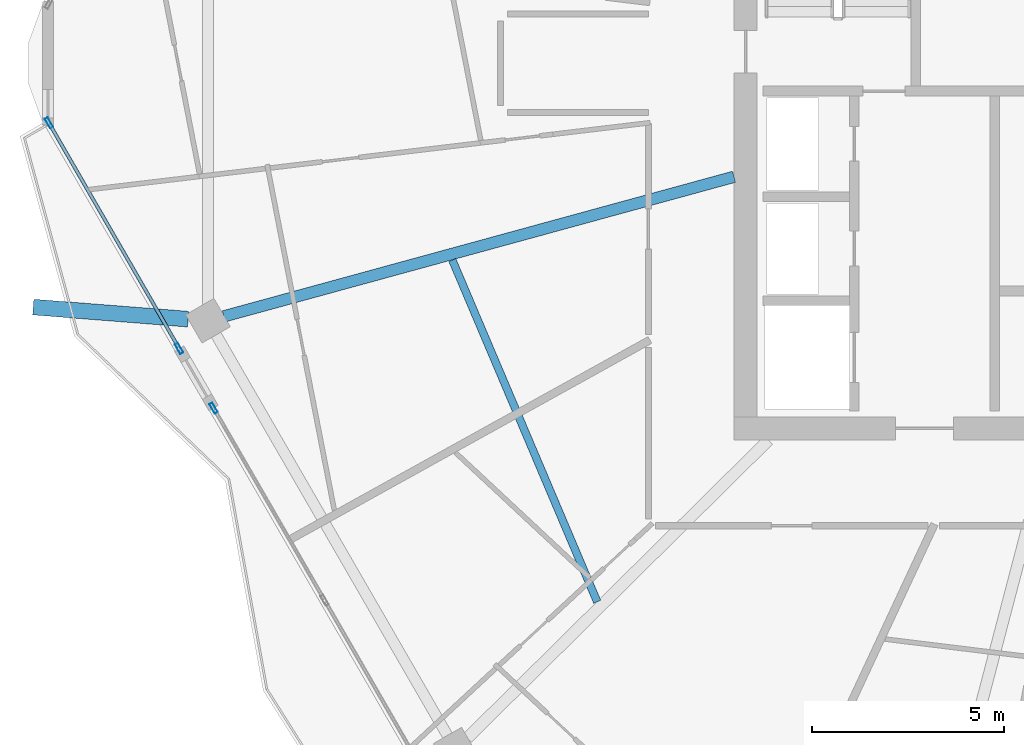
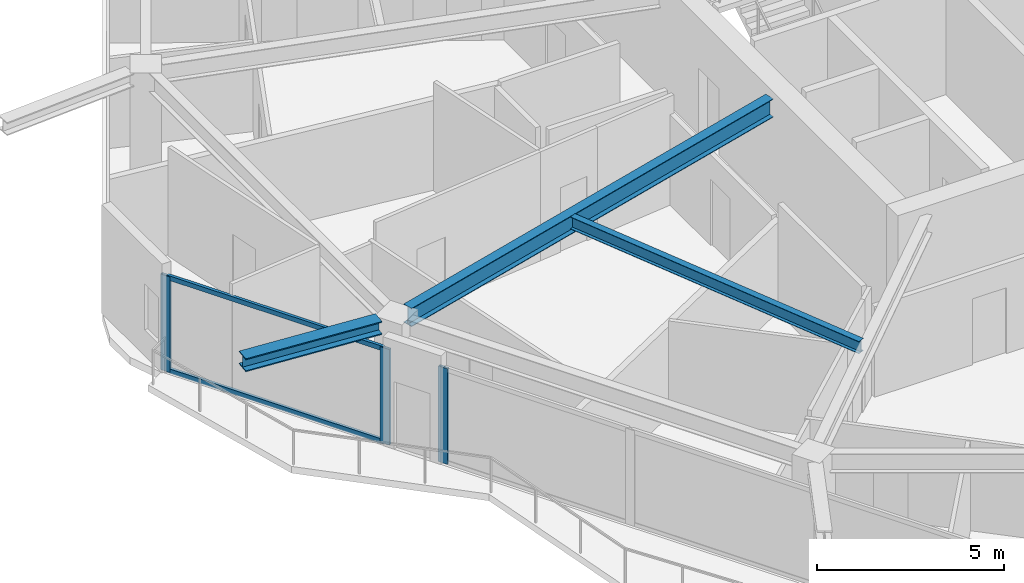
# One storey, part 5 of 26: 5 members, 3 beams, 2 elements without a shape of their own.
"""IFC4 building model written with IfcOpenShell, lengths in metres."""

from ifc_helpers import new_model, si_unit, direction, frame, origin, origin_2d, place, context, subcontext, project, spatial, hollow_rectangle, i_section, extrude, material, material_profile, profile_set, type_object, element, aggregate, save


model = new_model("IFC4")

# Units and contexts
model_context = context("Model", 3, precision=1e-05, world=origin(), true_north=direction((0.0, 1.0)))
body_context = subcontext(model_context, "Body", "Model", "MODEL_VIEW")
ifc_project = project(units=[si_unit("LENGTHUNIT", "METRE"), si_unit("AREAUNIT", "SQUARE_METRE"), si_unit("VOLUMEUNIT", "CUBIC_METRE"), si_unit("PLANEANGLEUNIT", "RADIAN"), si_unit("MASSUNIT", "GRAM", prefix="KILO")], contexts=[model_context])

# Site, building, storey
site_placement = place(None, origin())
site = spatial("IfcSite", under=ifc_project, at=site_placement, CompositionType="ELEMENT")
building_placement = place(site_placement, origin())
building = spatial("IfcBuilding", under=site, at=building_placement, Name="Zuhravey Tower", CompositionType="ELEMENT")
storey_placement = place(building_placement, frame((0.0, 0.0, 273.0)))
storey = spatial("IfcBuildingStorey", under=building, at=storey_placement, Name="L69", CompositionType="ELEMENT", Elevation=273.0)

# Curtain wall, member
ifc_material_1 = material(Name="Thermally broken anodised aluminium", Category="aluminium")
curtain_wall_type = type_object("IfcCurtainWallType", Name="Zone 3-4 High-Rise Curtain Wall CW4", PredefinedType="NOTDEFINED", material=ifc_material_1)
curtain_wall_1_placement = place(storey_placement, origin())
curtain_wall_1 = element("IfcCurtainWall", 1, at=curtain_wall_1_placement, inside=storey, type_object=curtain_wall_type, Name="L69 CW4 CW-L69-F4-1", PredefinedType="NOTDEFINED")
ifc_material_2 = material(Name="Anodised aluminium", Category="aluminium")
ifc_material_profile_1 = material_profile(ifc_material_2, hollow_rectangle(XDim=0.090087890625, YDim=0.284912109375, WallThickness=0.0048828125, at=origin_2d()), Name="ALU-RHS-90x285x5")
ifc_profile_set_1 = profile_set([ifc_material_profile_1], Name="Anodised aluminium")
member_type_1 = type_object("IfcMemberType", Name="Curtain-Wall Mullion 90x180", PredefinedType="MULLION", material=ifc_profile_set_1)
member_1_placement = place(storey_placement, frame((11.66162109375, 23.028076171875, 0.0), z_axis=(0.0, 0.0, 1.0), x_axis=(-0.866023893294, -0.500002616237, 0.0)))
member_1 = element("IfcMember", 2, at=member_1_placement, type_object=member_type_1, Name="CW4 mullion 4", PredefinedType="MULLION", context=body_context, shape_type="SweptSolid", body=[
    extrude(hollow_rectangle(XDim=0.090087890625, YDim=0.284912109375, WallThickness=0.0048828125, at=origin_2d()), origin(), (0.0, 0.0, 1.0), 3.1220703125),
])
aggregate(curtain_wall_1, [member_1])

# Curtain wall, members
curtain_wall_2_placement = place(storey_placement, origin())
curtain_wall_2 = element("IfcCurtainWall", 3, at=curtain_wall_2_placement, inside=storey, type_object=curtain_wall_type, Name="L69 CW4 CW-L69-F4-2", PredefinedType="NOTDEFINED")
member_2_placement = place(storey_placement, frame((10.7666015625, 24.578369140625, 0.0), z_axis=(0.0, 0.0, 1.0), x_axis=(-0.866025080445, -0.500000560041, 0.0)))
member_2 = element("IfcMember", 4, at=member_2_placement, type_object=member_type_1, Name="CW4 mullion 1", PredefinedType="MULLION", context=body_context, shape_type="SweptSolid", body=[
    extrude(hollow_rectangle(XDim=0.090087890625, YDim=0.284912109375, WallThickness=0.0048828125, at=origin_2d()), origin(), (0.0, 0.0, 1.0), 3.1220703125),
])
member_3_placement = place(storey_placement, frame((7.37744140625, 30.448486328125, 0.0), z_axis=(0.0, 0.0, 1.0), x_axis=(-0.866025080445, -0.500000560041, 0.0)))
member_3 = element("IfcMember", 5, at=member_3_placement, type_object=member_type_1, Name="CW4 mullion 2", PredefinedType="MULLION", context=body_context, shape_type="SweptSolid", body=[
    extrude(hollow_rectangle(XDim=0.090087890625, YDim=0.284912109375, WallThickness=0.0048828125, at=origin_2d()), origin(), (0.0, 0.0, 1.0), 3.1220703125),
])
ifc_material_profile_2 = material_profile(ifc_material_2, hollow_rectangle(XDim=0.090087890625, YDim=0.14990234375, WallThickness=0.0048828125, at=origin_2d()), Name="ALU-RHS-90x150x5")
ifc_profile_set_2 = profile_set([ifc_material_profile_2], Name="Anodised aluminium")
member_type_2 = type_object("IfcMemberType", Name="Curtain-Wall Transom 90x150", PredefinedType="USERDEFINED", material=ifc_profile_set_2)
member_4_placement = place(storey_placement, frame((10.744140625, 24.6171875, 0.044921875), z_axis=(-0.499994182963, 0.866028762226, 0.0), x_axis=(-0.866028762226, -0.499994182963, 0.0)))
member_4 = element("IfcMember", 6, at=member_4_placement, type_object=member_type_2, Name="CW4 transom 1.1", ObjectType="TRANSOM", PredefinedType="USERDEFINED", context=body_context, shape_type="SweptSolid", body=[
    extrude(hollow_rectangle(XDim=0.090087890625, YDim=0.14990234375, WallThickness=0.0048828125, at=origin_2d()), origin(), (0.0, 0.0, 1.0), 6.6884765625),
])
member_5_placement = place(storey_placement, frame((10.744140625, 24.6171875, 3.076904296875), z_axis=(-0.499994182963, 0.866028762226, 0.0), x_axis=(-0.866028762226, -0.499994182963, 0.0)))
member_5 = element("IfcMember", 7, at=member_5_placement, type_object=member_type_2, Name="CW4 transom 1.2", ObjectType="TRANSOM", PredefinedType="USERDEFINED", context=body_context, shape_type="SweptSolid", body=[
    extrude(hollow_rectangle(XDim=0.090087890625, YDim=0.14990234375, WallThickness=0.0048828125, at=origin_2d()), origin(), (0.0, 0.0, 1.0), 6.6884765625),
])
aggregate(curtain_wall_2, [member_2, member_3, member_4, member_5])

# Beams
ifc_material_3 = material(Name="Steel SM460", Category="steel")
ifc_material_profile_3 = material_profile(ifc_material_3, i_section(OverallWidth=0.406982421875, OverallDepth=0.427978515625, WebThickness=0.02001953125, FlangeThickness=0.034912109375, at=origin_2d()), Name="H-428x407x20x35")
ifc_profile_set_3 = profile_set([ifc_material_profile_3], Name="Steel SM460")
beam_type_1 = type_object("IfcBeamType", Name="Exoskeleton Node Tie Beam H428x407", PredefinedType="BEAM", material=ifc_profile_set_3)
beam_1_placement = place(storey_placement, frame((10.99755859375, 25.341552734375, 3.3359375), z_axis=(-0.996959133272, 0.077926161105, 0.0), x_axis=(-0.077926161105, -0.996959133272, 0.0)))
element("IfcBeam", 8, at=beam_1_placement, inside=storey, type_object=beam_type_1, Name="L69 Exoskeleton Node Tie NT1-07", PredefinedType="BEAM", context=body_context, shape_type="SweptSolid", body=[
    extrude(i_section(OverallWidth=0.406982421875, OverallDepth=0.427978515625, WebThickness=0.02001953125, FlangeThickness=0.034912109375, at=origin_2d()), origin(), (0.0, 0.0, 1.0), 4.038330078125),
])
ifc_material_4 = material(Name="Steel SM355", Category="steel")
ifc_material_profile_4 = material_profile(ifc_material_4, i_section(OverallWidth=0.300048828125, OverallDepth=0.60009765625, WebThickness=0.011962890625, FlangeThickness=0.02001953125, at=origin_2d()), Name="H-600x300x12x20")
ifc_profile_set_4 = profile_set([ifc_material_profile_4], Name="Steel SM355")
beam_type_2 = type_object("IfcBeamType", Name="Radial Primary Girder H600x300", PredefinedType="BEAM", material=ifc_profile_set_4)
beam_2_placement = place(storey_placement, frame((25.197021484375, 29.04443359375, 3.25), z_axis=(-0.964549305009, -0.263902705947, 0.0), x_axis=(0.263902705947, -0.964549305009, 0.0)))
element("IfcBeam", 9, at=beam_2_placement, inside=storey, type_object=beam_type_2, Name="L69 RG3 BM-L69-RAD-07", PredefinedType="BEAM", context=body_context, shape_type="SweptSolid", body=[
    extrude(i_section(OverallWidth=0.300048828125, OverallDepth=0.60009765625, WebThickness=0.011962890625, FlangeThickness=0.02001953125, at=origin_2d()), origin(), (0.0, 0.0, 1.0), 13.756591796875),
])
ifc_material_profile_5 = material_profile(ifc_material_4, i_section(OverallWidth=0.199951171875, OverallDepth=0.39990234375, WebThickness=0.008056640625, FlangeThickness=0.012939453125, at=origin_2d()), Name="H-400x200x8x13")
ifc_profile_set_5 = profile_set([ifc_material_profile_5], Name="Steel SM355")
beam_type_3 = type_object("IfcBeamType", Name="Secondary Floor Joist H400x200", PredefinedType="JOIST", material=ifc_profile_set_5)
beam_3_placement = place(storey_placement, frame((17.869140625, 26.881103515625, 3.35009765625), z_axis=(0.390413493754, -0.920639616731, 0.0), x_axis=(0.920639616731, 0.390413493754, 0.0)))
element("IfcBeam", 10, at=beam_3_placement, inside=storey, type_object=beam_type_3, Name="L69 SJ2 BM-L69-SJ-07-1", PredefinedType="JOIST", context=body_context, shape_type="SweptSolid", body=[
    extrude(i_section(OverallWidth=0.199951171875, OverallDepth=0.39990234375, WebThickness=0.008056640625, FlangeThickness=0.012939453125, at=origin_2d()), origin(), (0.0, 0.0, 1.0), 9.656494140625),
])

save(model, "model.ifc")
